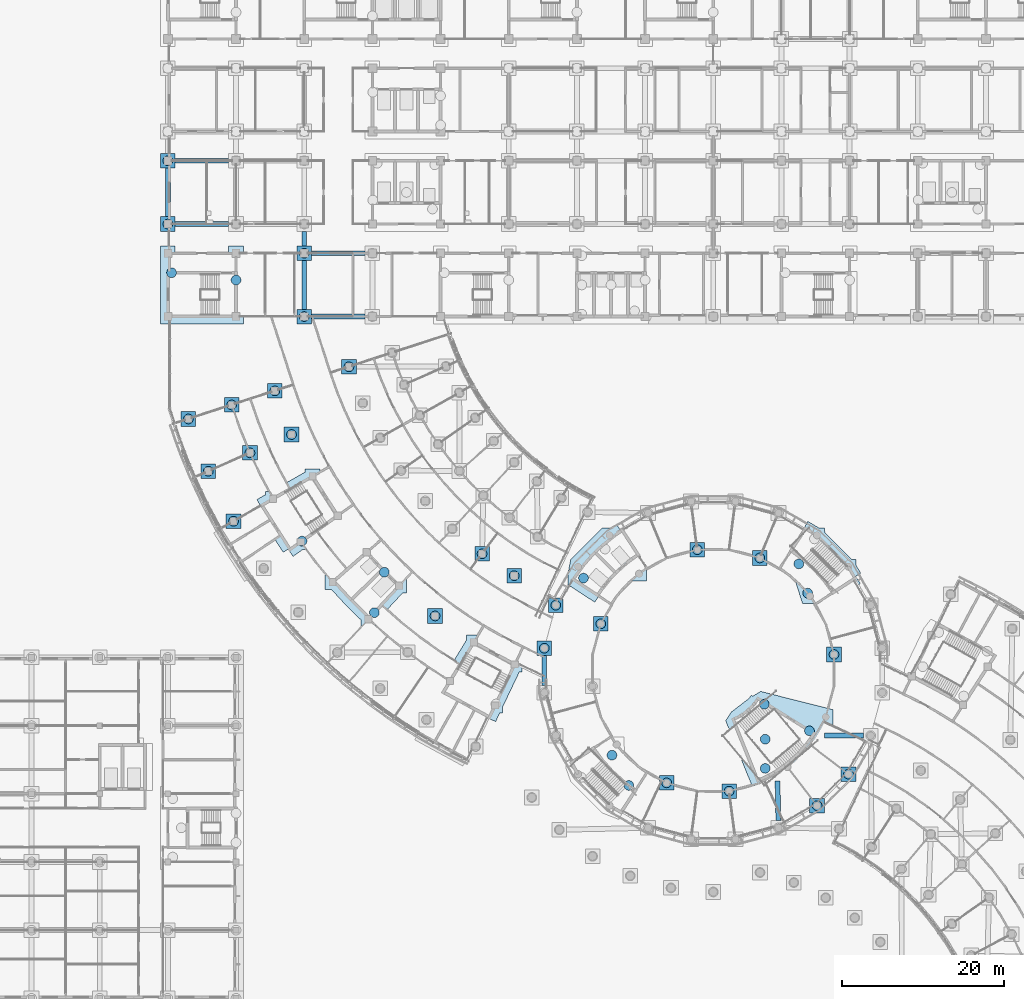
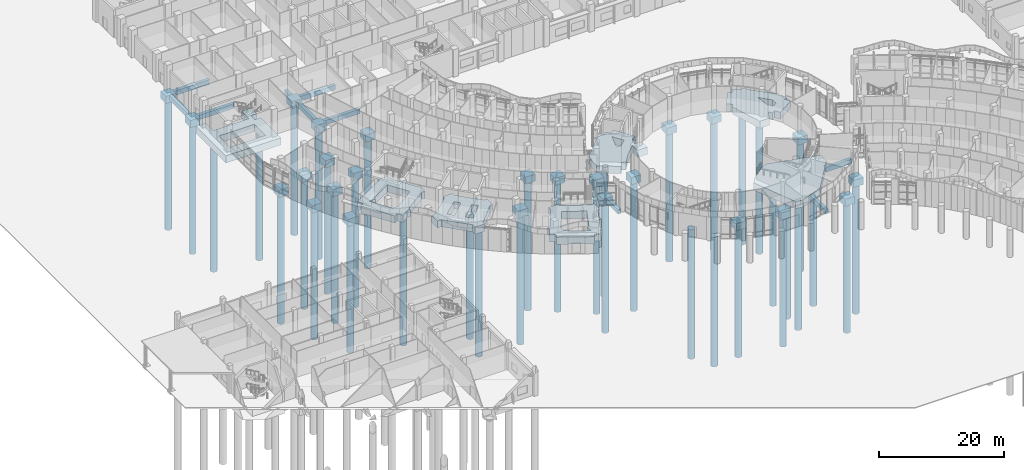
# One storey, part 3 of 146: 42 footings, 39 piles.
"""IFC4 building model written with IfcOpenShell, lengths in metres."""

from ifc_helpers import new_model, si_unit, direction, frame, origin, origin_2d, place, context, subcontext, project, spatial, polyline, rectangle, circle, outline, extrude, material, material_profile, profile_set, type_object, element, save


model = new_model("IFC4")

# Units and contexts
model_context = context("Model", 3, precision=1e-05, world=origin(), true_north=direction((0.0, 1.0)))
body_context = subcontext(model_context, "Body", "Model", "MODEL_VIEW")
ifc_project = project(units=[si_unit("LENGTHUNIT", "METRE"), si_unit("AREAUNIT", "SQUARE_METRE"), si_unit("VOLUMEUNIT", "CUBIC_METRE"), si_unit("PLANEANGLEUNIT", "RADIAN"), si_unit("MASSUNIT", "GRAM", prefix="KILO")], contexts=[model_context])

# Site, building, storey
site_placement = place(None, origin())
site = spatial("IfcSite", under=ifc_project, at=site_placement, CompositionType="ELEMENT")
building_placement = place(site_placement, origin())
building = spatial("IfcBuilding", under=site, at=building_placement, Name="Bougainvillea Quay General Hospital", CompositionType="ELEMENT")
storey_placement = place(building_placement, origin())
storey = spatial("IfcBuildingStorey", under=building, at=storey_placement, Name="L00", CompositionType="ELEMENT", Elevation=0.0)

# Piles
ifc_material_1 = material(Name="Concrete C40", Category="concrete")
ifc_material_profile_1 = material_profile(ifc_material_1, circle(Radius=0.60009765625, at=origin_2d()))
ifc_profile_set_1 = profile_set([ifc_material_profile_1], Name="Concrete C40")
pile_type = type_object("IfcPileType", Name="BORED PILE D1200 C40", PredefinedType="BORED", material=ifc_profile_set_1)
for number, where, z_axis, x_axis, name in (
    (1, (121.98388671875, 57.340087890625, -1.60009765625), (0.0, 0.0, -1.0), (1.0, 0.0, 0.0), "Bored pile 066-01"),
    (2, (111.157958984375, 59.1279296875, -1.60009765625), (0.0, 0.0, -1.0), (1.0, 0.0, 0.0), "Bored pile 072-01"),
    (3, (103.4599609375, 60.14208984375, -1.60009765625), (0.0, 0.0, -1.0), (1.0, 0.0, 0.0), "Bored pile 073-01"),
    (4, (98.802001953125, 59.829345703125, -1.60009765625), (0.0, 0.0, -1.0), (1.0, 0.0, 0.0), "Bored pile 075-01"),
    (5, (96.71923828125, 63.55419921875, -1.60009765625), (0.0, 0.0, -1.0), (1.0, 0.0, 0.0), "Bored pile 075-03"),
    (6, (125.860107421875, 61.216064453125, -1.60009765625), (0.0, 0.0, -1.0), (1.0, 0.0, 0.0), "Bored pile 076-01"),
    (7, (115.6005859375, 61.927001953125, -1.60009765625), (0.0, 0.0, -1.0), (1.0, 0.0, 0.0), "Bored pile 085-01"),
    (8, (115.6005859375, 65.527099609375, -1.60009765625), (0.0, 0.0, -1.0), (1.0, 0.0, 0.0), "Bored pile 085-02"),
    (9, (121.0546875, 66.55078125, -1.60009765625), (0.0, 0.0, -1.0), (1.0, 0.0, 0.0), "Bored pile 085-03"),
    (10, (115.48095703125, 69.82568359375, -1.60009765625), (0.0, 0.0, -1.0), (1.0, 0.0, 0.0), "Bored pile 085-04"),
    (11, (124.072021484375, 75.9580078125, -1.60009765625), (0.0, 0.0, -1.0), (1.0, 0.0, 0.0), "Bored pile 113-01"),
    (12, (88.3798828125, 76.740966796875, -1.60009765625), (0.0, 0.0, -1.0), (1.0, 0.0, 0.0), "Bored pile 116-01"),
    (13, (95.342041015625, 79.739990234375, -1.60009765625), (0.0, 0.0, -1.0), (1.0, 0.0, 0.0), "Bored pile 119-01"),
    (14, (74.9189453125, 80.7119140625, -1.60009765625), (0.0, 0.0, -1.0), (1.0, 0.0, 0.0), "Bored pile 120-01"),
    (15, (89.799072265625, 82.035888671875, -1.60009765625), (0.0, 0.0, -1.0), (1.0, 0.0, 0.0), "Bored pile 122-01"),
    (16, (67.444091796875, 81.12109375, -1.60009765625), (0.0, 0.0, -1.0), (1.0, 0.0, 0.0), "Bored pile 131-01"),
    (17, (68.6708984375, 86.105712890625, -1.60009765625), (0.0, 0.0, -1.0), (1.0, 0.0, 0.0), "Bored pile 131-02"),
    (18, (84.669921875, 85.675048828125, -1.60009765625), (0.0, 0.0, -1.0), (1.0, 0.0, 0.0), "Bored pile 132-01"),
    (19, (120.828857421875, 83.52685546875, -1.60009765625), (0.0, 0.0, -1.0), (1.0, 0.0, 0.0), "Bored pile 134-01"),
    (20, (119.743896484375, 87.126708984375, -1.60009765625), (0.0, 0.0, -1.0), (1.0, 0.0, 0.0), "Bored pile 134-02"),
    (21, (93.209228515625, 85.37744140625, -1.60009765625), (0.0, 0.0, -1.0), (1.0, 0.0, 0.0), "Bored pile 135-01"),
    (22, (114.93994140625, 87.85791015625, -1.60009765625), (0.0, 0.0, -1.0), (1.0, 0.0, 0.0), "Bored pile 136-01"),
    (23, (80.712890625, 88.365966796875, -1.60009765625), (0.0, 0.0, -1.0), (1.0, 0.0, 0.0), "Bored pile 137-01"),
    (24, (107.241943359375, 88.8720703125, -1.60009765625), (0.0, 0.0, -1.0), (1.0, 0.0, 0.0), "Bored pile 138-01"),
    (25, (50.091064453125, 92.383056640625, -1.60009765625), (0.0, 0.0, -1.0), (1.0, 0.0, 0.0), "Bored pile 141-01"),
    (26, (58.5244140625, 89.933837890625, -1.60009765625), (0.0, 0.0, -1.0), (1.0, 0.0, 0.0), "Bored pile 148-01"),
    (27, (46.989990234375, 98.5419921875, -1.60009765625), (0.0, 0.0, -1.0), (1.0, 0.0, 0.0), "Bored pile 156-01"),
    (28, (52.114013671875, 100.802978515625, -1.60009765625), (0.0, 0.0, -1.0), (1.0, 0.0, 0.0), "Bored pile 162-01"),
    (29, (57.237060546875, 103.06396484375, -1.60009765625), (0.0, 0.0, -1.0), (1.0, 0.0, 0.0), "Bored pile 166-01"),
    (30, (44.530029296875, 104.98193359375, -1.60009765625), (0.0, 0.0, -1.0), (1.0, 0.0, 0.0), "Bored pile 167-01"),
    (31, (49.85498046875, 106.712890625, -1.60009765625), (0.0, 0.0, -1.0), (1.0, 0.0, 0.0), "Bored pile 170-01"),
    (32, (55.180908203125, 108.444091796875, -1.60009765625), (0.0, 0.0, -1.0), (1.0, 0.0, 0.0), "Bored pile 173-01"),
    (33, (64.31103515625, 111.410888671875, -1.60009765625), (0.0, 0.0, -1.0), (1.0, 0.0, 0.0), "Bored pile 179-01"),
    (34, (58.800048828125, 117.60009765625, -1.60009765625), (0.0, 0.0, -1.0), (1.0, 0.0, 0.0), "Bored pile 182-01"),
    (35, (50.39990234375, 122.10009765625, -1.60009765625), (0.0, 0.0, -1.0), (1.0, 0.0, 0.0), "Bored pile 192-01"),
    (36, (42.449951171875, 123.0, -1.60009765625), (0.0, 0.0, -1.0), (1.0, 0.0, 0.0), "Bored pile 192-02"),
    (37, (58.800048828125, 125.39990234375, -1.60009765625), (0.0, 0.0, -1.0), (1.0, 0.0, 0.0), "Bored pile 197-01"),
    (38, (42.0, 129.0, -1.60009765625), (0.0, 0.0, -1.0), (1.0, 0.0, 0.0), "Bored pile 204-01"),
    (39, (42.0, 136.800048828125, -1.60009765625), (0.0, 0.0, -1.0), (1.0, 0.0, 0.0), "Bored pile 221-01"),
):
    element("IfcPile", number, at=place(storey_placement, frame(where, z_axis=z_axis, x_axis=x_axis)), inside=storey, type_object=pile_type, Name=name, PredefinedType="BORED", context=body_context, shape_type="SweptSolid", body=[
        extrude(circle(Radius=0.60009765625, at=origin_2d()), origin(), (0.0, 0.0, 1.0), 25.39990234375),
    ])

# Footings
ifc_material_2 = material(Name="Concrete C35", Category="concrete")
footing_type_1 = type_object("IfcFootingType", Name="PILE CAP 1P D1200 1800x1800x1400", PredefinedType="PILE_CAP", material=ifc_material_2)
footing_1_placement = place(storey_placement, frame((0.0, 0.0, -1.699951171875)))
element("IfcFooting", 40, at=footing_1_placement, inside=storey, type_object=footing_type_1, Name="Pile cap PC1 066", PredefinedType="PILE_CAP", context=body_context, shape_type="SweptSolid", body=[
    extrude(outline(polyline([(121.083984375, 56.43994140625), (122.884033203125, 56.43994140625), (122.884033203125, 58.239990234375), (121.083984375, 58.239990234375), (121.083984375, 56.43994140625)])), origin(), (0.0, 0.0, 1.0), 1.39990234375),
])
footing_2_placement = place(storey_placement, frame((0.0, 0.0, -1.699951171875)))
element("IfcFooting", 41, at=footing_2_placement, inside=storey, type_object=footing_type_1, Name="Pile cap PC1 072", PredefinedType="PILE_CAP", context=body_context, shape_type="SweptSolid", body=[
    extrude(outline(polyline([(110.258056640625, 58.22802734375), (112.05810546875, 58.22802734375), (112.05810546875, 60.028076171875), (110.258056640625, 60.028076171875), (110.258056640625, 58.22802734375)])), origin(), (0.0, 0.0, 1.0), 1.39990234375),
])
footing_3_placement = place(storey_placement, frame((0.0, 0.0, -1.699951171875)))
element("IfcFooting", 42, at=footing_3_placement, inside=storey, type_object=footing_type_1, Name="Pile cap PC1 073", PredefinedType="PILE_CAP", context=body_context, shape_type="SweptSolid", body=[
    extrude(outline(polyline([(102.56005859375, 59.241943359375), (104.360107421875, 59.241943359375), (104.360107421875, 61.0419921875), (102.56005859375, 61.0419921875), (102.56005859375, 59.241943359375)])), origin(), (0.0, 0.0, 1.0), 1.39990234375),
])
footing_4_placement = place(storey_placement, frame((0.0, 0.0, -1.699951171875)))
element("IfcFooting", 43, at=footing_4_placement, inside=storey, type_object=footing_type_1, Name="Pile cap PC1 076", PredefinedType="PILE_CAP", context=body_context, shape_type="SweptSolid", body=[
    extrude(outline(polyline([(124.9599609375, 60.31591796875), (126.760009765625, 60.31591796875), (126.760009765625, 62.115966796875), (124.9599609375, 62.115966796875), (124.9599609375, 60.31591796875)])), origin(), (0.0, 0.0, 1.0), 1.39990234375),
])
footing_5_placement = place(storey_placement, frame((0.0, 0.0, -1.699951171875)))
element("IfcFooting", 44, at=footing_5_placement, inside=storey, type_object=footing_type_1, Name="Pile cap PC1 113", PredefinedType="PILE_CAP", context=body_context, shape_type="SweptSolid", body=[
    extrude(outline(polyline([(123.172119140625, 75.05810546875), (124.971923828125, 75.05810546875), (124.971923828125, 76.85791015625), (123.172119140625, 76.85791015625), (123.172119140625, 75.05810546875)])), origin(), (0.0, 0.0, 1.0), 1.39990234375),
])
footing_6_placement = place(storey_placement, frame((0.0, 0.0, -1.699951171875)))
element("IfcFooting", 45, at=footing_6_placement, inside=storey, type_object=footing_type_1, Name="Pile cap PC1 116", PredefinedType="PILE_CAP", context=body_context, shape_type="SweptSolid", body=[
    extrude(outline(polyline([(87.47998046875, 75.841064453125), (89.280029296875, 75.841064453125), (89.280029296875, 77.64111328125), (87.47998046875, 77.64111328125), (87.47998046875, 75.841064453125)])), origin(), (0.0, 0.0, 1.0), 1.39990234375),
])
footing_7_placement = place(storey_placement, frame((0.0, 0.0, -1.699951171875)))
element("IfcFooting", 46, at=footing_7_placement, inside=storey, type_object=footing_type_1, Name="Pile cap PC1 119", PredefinedType="PILE_CAP", context=body_context, shape_type="SweptSolid", body=[
    extrude(outline(polyline([(94.44189453125, 78.840087890625), (96.241943359375, 78.840087890625), (96.241943359375, 80.639892578125), (94.44189453125, 80.639892578125), (94.44189453125, 78.840087890625)])), origin(), (0.0, 0.0, 1.0), 1.39990234375),
])
footing_8_placement = place(storey_placement, frame((0.0, 0.0, -1.699951171875)))
element("IfcFooting", 47, at=footing_8_placement, inside=storey, type_object=footing_type_1, Name="Pile cap PC1 120", PredefinedType="PILE_CAP", context=body_context, shape_type="SweptSolid", body=[
    extrude(outline(polyline([(74.01904296875, 79.81201171875), (75.819091796875, 79.81201171875), (75.819091796875, 81.612060546875), (74.01904296875, 81.612060546875), (74.01904296875, 79.81201171875)])), origin(), (0.0, 0.0, 1.0), 1.39990234375),
])
footing_9_placement = place(storey_placement, frame((0.0, 0.0, -1.699951171875)))
element("IfcFooting", 48, at=footing_9_placement, inside=storey, type_object=footing_type_1, Name="Pile cap PC1 122", PredefinedType="PILE_CAP", context=body_context, shape_type="SweptSolid", body=[
    extrude(outline(polyline([(88.89892578125, 81.135986328125), (90.698974609375, 81.135986328125), (90.698974609375, 82.93603515625), (88.89892578125, 82.93603515625), (88.89892578125, 81.135986328125)])), origin(), (0.0, 0.0, 1.0), 1.39990234375),
])
footing_10_placement = place(storey_placement, frame((0.0, 0.0, -1.699951171875)))
element("IfcFooting", 49, at=footing_10_placement, inside=storey, type_object=footing_type_1, Name="Pile cap PC1 132", PredefinedType="PILE_CAP", context=body_context, shape_type="SweptSolid", body=[
    extrude(outline(polyline([(83.77001953125, 84.77490234375), (85.570068359375, 84.77490234375), (85.570068359375, 86.574951171875), (83.77001953125, 86.574951171875), (83.77001953125, 84.77490234375)])), origin(), (0.0, 0.0, 1.0), 1.39990234375),
])
footing_11_placement = place(storey_placement, frame((0.0, 0.0, -1.699951171875)))
element("IfcFooting", 50, at=footing_11_placement, inside=storey, type_object=footing_type_1, Name="Pile cap PC1 136", PredefinedType="PILE_CAP", context=body_context, shape_type="SweptSolid", body=[
    extrude(outline(polyline([(114.0400390625, 86.9580078125), (115.840087890625, 86.9580078125), (115.840087890625, 88.758056640625), (114.0400390625, 88.758056640625), (114.0400390625, 86.9580078125)])), origin(), (0.0, 0.0, 1.0), 1.39990234375),
])
footing_12_placement = place(storey_placement, frame((0.0, 0.0, -1.699951171875)))
element("IfcFooting", 51, at=footing_12_placement, inside=storey, type_object=footing_type_1, Name="Pile cap PC1 137", PredefinedType="PILE_CAP", context=body_context, shape_type="SweptSolid", body=[
    extrude(outline(polyline([(79.81298828125, 87.466064453125), (81.613037109375, 87.466064453125), (81.613037109375, 89.26611328125), (79.81298828125, 89.26611328125), (79.81298828125, 87.466064453125)])), origin(), (0.0, 0.0, 1.0), 1.39990234375),
])
footing_13_placement = place(storey_placement, frame((0.0, 0.0, -1.699951171875)))
element("IfcFooting", 52, at=footing_13_placement, inside=storey, type_object=footing_type_1, Name="Pile cap PC1 138", PredefinedType="PILE_CAP", context=body_context, shape_type="SweptSolid", body=[
    extrude(outline(polyline([(106.342041015625, 87.971923828125), (108.14208984375, 87.971923828125), (108.14208984375, 89.77197265625), (106.342041015625, 89.77197265625), (106.342041015625, 87.971923828125)])), origin(), (0.0, 0.0, 1.0), 1.39990234375),
])
footing_14_placement = place(storey_placement, frame((0.0, 0.0, -1.699951171875)))
element("IfcFooting", 53, at=footing_14_placement, inside=storey, type_object=footing_type_1, Name="Pile cap PC1 141", PredefinedType="PILE_CAP", context=body_context, shape_type="SweptSolid", body=[
    extrude(outline(polyline([(49.19091796875, 91.48291015625), (50.990966796875, 91.48291015625), (50.990966796875, 93.282958984375), (49.19091796875, 93.282958984375), (49.19091796875, 91.48291015625)])), origin(), (0.0, 0.0, 1.0), 1.39990234375),
])
footing_15_placement = place(storey_placement, frame((0.0, 0.0, -1.699951171875)))
element("IfcFooting", 54, at=footing_15_placement, inside=storey, type_object=footing_type_1, Name="Pile cap PC1 156", PredefinedType="PILE_CAP", context=body_context, shape_type="SweptSolid", body=[
    extrude(outline(polyline([(46.090087890625, 97.64208984375), (47.889892578125, 97.64208984375), (47.889892578125, 99.44189453125), (46.090087890625, 99.44189453125), (46.090087890625, 97.64208984375)])), origin(), (0.0, 0.0, 1.0), 1.39990234375),
])
footing_16_placement = place(storey_placement, frame((0.0, 0.0, -1.699951171875)))
element("IfcFooting", 55, at=footing_16_placement, inside=storey, type_object=footing_type_1, Name="Pile cap PC1 162", PredefinedType="PILE_CAP", context=body_context, shape_type="SweptSolid", body=[
    extrude(outline(polyline([(51.214111328125, 99.903076171875), (53.013916015625, 99.903076171875), (53.013916015625, 101.702880859375), (51.214111328125, 101.702880859375), (51.214111328125, 99.903076171875)])), origin(), (0.0, 0.0, 1.0), 1.39990234375),
])
footing_17_placement = place(storey_placement, frame((0.0, 0.0, -1.699951171875)))
element("IfcFooting", 56, at=footing_17_placement, inside=storey, type_object=footing_type_1, Name="Pile cap PC1 166", PredefinedType="PILE_CAP", context=body_context, shape_type="SweptSolid", body=[
    extrude(outline(polyline([(56.3369140625, 102.1640625), (58.136962890625, 102.1640625), (58.136962890625, 103.964111328125), (56.3369140625, 103.964111328125), (56.3369140625, 102.1640625)])), origin(), (0.0, 0.0, 1.0), 1.39990234375),
])
footing_18_placement = place(storey_placement, frame((0.0, 0.0, -1.699951171875)))
element("IfcFooting", 57, at=footing_18_placement, inside=storey, type_object=footing_type_1, Name="Pile cap PC1 167", PredefinedType="PILE_CAP", context=body_context, shape_type="SweptSolid", body=[
    extrude(outline(polyline([(43.6298828125, 104.08203125), (45.429931640625, 104.08203125), (45.429931640625, 105.882080078125), (43.6298828125, 105.882080078125), (43.6298828125, 104.08203125)])), origin(), (0.0, 0.0, 1.0), 1.39990234375),
])
footing_19_placement = place(storey_placement, frame((0.0, 0.0, -1.699951171875)))
element("IfcFooting", 58, at=footing_19_placement, inside=storey, type_object=footing_type_1, Name="Pile cap PC1 170", PredefinedType="PILE_CAP", context=body_context, shape_type="SweptSolid", body=[
    extrude(outline(polyline([(48.955078125, 105.81298828125), (50.7548828125, 105.81298828125), (50.7548828125, 107.613037109375), (48.955078125, 107.613037109375), (48.955078125, 105.81298828125)])), origin(), (0.0, 0.0, 1.0), 1.39990234375),
])
footing_20_placement = place(storey_placement, frame((0.0, 0.0, -1.699951171875)))
element("IfcFooting", 59, at=footing_20_placement, inside=storey, type_object=footing_type_1, Name="Pile cap PC1 173", PredefinedType="PILE_CAP", context=body_context, shape_type="SweptSolid", body=[
    extrude(outline(polyline([(54.281005859375, 107.5439453125), (56.0810546875, 107.5439453125), (56.0810546875, 109.343994140625), (54.281005859375, 109.343994140625), (54.281005859375, 107.5439453125)])), origin(), (0.0, 0.0, 1.0), 1.39990234375),
])
footing_21_placement = place(storey_placement, frame((0.0, 0.0, -1.699951171875)))
element("IfcFooting", 60, at=footing_21_placement, inside=storey, type_object=footing_type_1, Name="Pile cap PC1 179", PredefinedType="PILE_CAP", context=body_context, shape_type="SweptSolid", body=[
    extrude(outline(polyline([(63.410888671875, 110.510986328125), (65.2109375, 110.510986328125), (65.2109375, 112.31103515625), (63.410888671875, 112.31103515625), (63.410888671875, 110.510986328125)])), origin(), (0.0, 0.0, 1.0), 1.39990234375),
])
footing_22_placement = place(storey_placement, frame((0.0, 0.0, -1.699951171875)))
element("IfcFooting", 61, at=footing_22_placement, inside=storey, type_object=footing_type_1, Name="Pile cap PC1 182", PredefinedType="PILE_CAP", context=body_context, shape_type="SweptSolid", body=[
    extrude(outline(polyline([(57.89990234375, 116.699951171875), (59.699951171875, 116.699951171875), (59.699951171875, 118.5), (57.89990234375, 118.5), (57.89990234375, 116.699951171875)])), origin(), (0.0, 0.0, 1.0), 1.39990234375),
])
footing_23_placement = place(storey_placement, frame((0.0, 0.0, -1.699951171875)))
element("IfcFooting", 62, at=footing_23_placement, inside=storey, type_object=footing_type_1, Name="Pile cap PC1 197", PredefinedType="PILE_CAP", context=body_context, shape_type="SweptSolid", body=[
    extrude(outline(polyline([(57.89990234375, 124.5), (59.699951171875, 124.5), (59.699951171875, 126.300048828125), (57.89990234375, 126.300048828125), (57.89990234375, 124.5)])), origin(), (0.0, 0.0, 1.0), 1.39990234375),
])
footing_24_placement = place(storey_placement, frame((0.0, 0.0, -1.699951171875)))
element("IfcFooting", 63, at=footing_24_placement, inside=storey, type_object=footing_type_1, Name="Pile cap PC1 204", PredefinedType="PILE_CAP", context=body_context, shape_type="SweptSolid", body=[
    extrude(outline(polyline([(41.10009765625, 128.10009765625), (42.89990234375, 128.10009765625), (42.89990234375, 129.89990234375), (41.10009765625, 129.89990234375), (41.10009765625, 128.10009765625)])), origin(), (0.0, 0.0, 1.0), 1.39990234375),
])
footing_25_placement = place(storey_placement, frame((0.0, 0.0, -1.699951171875)))
element("IfcFooting", 64, at=footing_25_placement, inside=storey, type_object=footing_type_1, Name="Pile cap PC1 221", PredefinedType="PILE_CAP", context=body_context, shape_type="SweptSolid", body=[
    extrude(outline(polyline([(41.10009765625, 135.89990234375), (42.89990234375, 135.89990234375), (42.89990234375, 137.699951171875), (41.10009765625, 137.699951171875), (41.10009765625, 135.89990234375)])), origin(), (0.0, 0.0, 1.0), 1.39990234375),
])
footing_type_2 = type_object("IfcFootingType", Name="PILE CAP RAFT 1P D1200 4715", PredefinedType="PILE_CAP", material=ifc_material_2)
footing_26_placement = place(storey_placement, frame((0.0, 0.0, -1.699951171875)))
element("IfcFooting", 65, at=footing_26_placement, inside=storey, type_object=footing_type_2, Name="Pile cap PC9 098", PredefinedType="PILE_CAP", context=body_context, shape_type="SweptSolid", body=[
    extrude(outline(polyline([(85.64697265625, 75.633056640625), (85.64697265625, 73.8330078125), (85.314697265625, 73.8330078125), (83.236083984375, 69.4755859375), (83.236083984375, 68.779052734375), (82.90380859375, 68.779052734375), (82.384033203125, 67.689453125), (81.405517578125, 68.15625), (81.06494140625, 67.526611328125), (75.664794921875, 70.447021484375), (76.00537109375, 71.076904296875), (75.0791015625, 71.64013671875), (75.87109375, 72.94189453125), (75.87109375, 73.589111328125), (76.2646484375, 73.589111328125), (78.781005859375, 77.725341796875), (78.781005859375, 78.373046875), (80.5810546875, 78.373046875), (80.5810546875, 78.009521484375), (84.974853515625, 75.633056640625), (85.64697265625, 75.633056640625)]), holes=[polyline([(81.76806640625, 70.5791015625), (83.56640625, 74.348388671875), (80.00537109375, 76.2744140625), (77.6708984375, 72.437255859375), (77.6708984375, 71.408447265625), (81.43603515625, 69.372314453125), (81.43603515625, 70.5791015625), (81.76806640625, 70.5791015625)])]), origin(), (0.0, 0.0, 1.0), 1.39990234375),
])
footing_type_3 = type_object("IfcFootingType", Name="PILE CAP RAFT 1P D1200 4725", PredefinedType="PILE_CAP", material=ifc_material_2)
footing_27_placement = place(storey_placement, frame((0.0, 0.0, -1.699951171875)))
element("IfcFooting", 66, at=footing_27_placement, inside=storey, type_object=footing_type_3, Name="Pile cap PC14 148", PredefinedType="PILE_CAP", context=body_context, shape_type="SweptSolid", body=[
    extrude(outline(polyline([(63.823974609375, 93.965087890625), (63.823974609375, 92.1650390625), (63.211669921875, 92.1650390625), (59.260986328125, 89.353271484375), (59.260986328125, 88.9169921875), (58.64794921875, 88.9169921875), (57.437255859375, 88.05517578125), (56.80859375, 88.9384765625), (56.205078125, 88.553466796875), (52.9033203125, 93.7294921875), (53.5068359375, 94.114501953125), (52.970947265625, 95.056884765625), (54.05908203125, 95.675537109375), (54.05908203125, 96.052001953125), (54.720947265625, 96.052001953125), (58.926025390625, 98.443603515625), (58.926025390625, 98.820068359375), (60.72607421875, 98.820068359375), (60.72607421875, 98.1826171875), (63.417236328125, 93.965087890625), (63.823974609375, 93.965087890625)]), holes=[polyline([(55.85888671875, 94.628662109375), (55.85888671875, 94.251953125), (54.705078125, 94.251953125), (56.9599609375, 90.717041015625), (58.072998046875, 90.717041015625), (61.705078125, 93.30224609375), (59.52734375, 96.71484375), (55.85888671875, 94.628662109375)])]), origin(), (0.0, 0.0, 1.0), 1.39990234375),
])
footing_type_4 = type_object("IfcFootingType", Name="PILE CAP RAFT 2P D1200 4876", PredefinedType="PILE_CAP", material=ifc_material_2)
footing_28_placement = place(storey_placement, frame((0.0, 0.0, -1.699951171875)))
element("IfcFooting", 67, at=footing_28_placement, inside=storey, type_object=footing_type_4, Name="Pile cap PC11 131", PredefinedType="PILE_CAP", context=body_context, shape_type="SweptSolid", body=[
    extrude(outline(polyline([(71.408935546875, 85.31591796875), (71.408935546875, 83.51611328125), (70.90087890625, 83.51611328125), (67.593994140625, 79.9609375), (67.593994140625, 79.416015625), (65.7939453125, 79.416015625), (65.7939453125, 80.217529296875), (63.93017578125, 82.041748046875), (62.16455078125, 83.955078125), (61.386962890625, 83.955078125), (61.386962890625, 85.7548828125), (61.94775390625, 85.7548828125), (65.596923828125, 88.955810546875), (65.596923828125, 89.447998046875), (67.39697265625, 89.447998046875), (67.39697265625, 88.899658203125), (69.095947265625, 87.05810546875), (70.876220703125, 85.31591796875), (71.408935546875, 85.31591796875)]), holes=[polyline([(65.865234375, 82.66650390625), (66.80078125, 81.7509765625), (69.25244140625, 84.386474609375), (68.447509765625, 85.174072265625), (65.865234375, 82.66650390625)]), polyline([(64.611328125, 83.957763671875), (67.193603515625, 86.465576171875), (66.4306640625, 87.292724609375), (63.724365234375, 84.9189453125), (64.611328125, 83.957763671875)])]), origin(), (0.0, 0.0, 1.0), 1.39990234375),
])
footing_type_5 = type_object("IfcFootingType", Name="PILE CAP RAFT 2P D1200 5430", PredefinedType="PILE_CAP", material=ifc_material_2)
footing_29_placement = place(storey_placement, frame((0.0, 0.0, -1.699951171875)))
element("IfcFooting", 68, at=footing_29_placement, inside=storey, type_object=footing_type_5, Name="Pile cap PC13 135", PredefinedType="PILE_CAP", context=body_context, shape_type="SweptSolid", body=[
    extrude(outline(polyline([(95.78369140625, 82.893310546875), (95.1826171875, 83.306640625), (94.599609375, 82.408935546875), (91.2861328125, 84.560546875), (91.298095703125, 85.890869140625), (91.639892578125, 87.68408203125), (95.51611328125, 91.56005859375), (96.803466796875, 91.56005859375), (97.32568359375, 91.919189453125), (97.73388671875, 91.325927734375), (98.639404296875, 91.913818359375), (100.791015625, 88.600341796875), (99.893310546875, 88.017333984375), (100.306640625, 87.416259765625), (99.410400390625, 86.800048828125), (100.968994140625, 86.800048828125), (100.968994140625, 85.0), (99.1689453125, 85.0), (99.1689453125, 86.600341796875), (97.8076171875, 85.3759765625), (97.244384765625, 84.781494140625), (96.168701171875, 83.453125), (95.78369140625, 82.893310546875)]), holes=[polyline([(98.707763671875, 88.503662109375), (97.496826171875, 90.368408203125), (96.719482421875, 87.753173828125), (97.211669921875, 87.260986328125), (97.92626953125, 87.903564453125), (98.707763671875, 88.503662109375)])]), origin(), (0.0, 0.0, 1.0), 1.39990234375),
])
footing_type_6 = type_object("IfcFootingType", Name="PILE CAP RAFT 2P D1200 5690", PredefinedType="PILE_CAP", material=ifc_material_2)
footing_30_placement = place(storey_placement, frame((0.0, 0.0, -1.699951171875)))
element("IfcFooting", 69, at=footing_30_placement, inside=storey, type_object=footing_type_6, Name="Pile cap PC18 192", PredefinedType="PILE_CAP", context=body_context, shape_type="SweptSolid", body=[
    extrude(outline(polyline([(51.300048828125, 116.699951171875), (41.10009765625, 116.699951171875), (41.10009765625, 126.300048828125), (42.89990234375, 126.300048828125), (42.89990234375, 123.89990234375), (49.5, 123.89990234375), (49.5, 126.300048828125), (51.300048828125, 126.300048828125), (51.300048828125, 124.5), (50.22509765625, 124.5), (50.22509765625, 123.175048828125), (51.300048828125, 123.175048828125), (51.300048828125, 116.699951171875)]), holes=[polyline([(49.5, 122.10009765625), (42.89990234375, 122.10009765625), (42.89990234375, 118.5), (49.5, 118.5), (49.5, 122.10009765625)])]), origin(), (0.0, 0.0, 1.0), 1.39990234375),
])
footing_type_7 = type_object("IfcFootingType", Name="PILE CAP RAFT 3P D1200 5546", PredefinedType="PILE_CAP", material=ifc_material_2)
footing_31_placement = place(storey_placement, frame((0.0, 0.0, -1.699951171875)))
element("IfcFooting", 70, at=footing_31_placement, inside=storey, type_object=footing_type_7, Name="Pile cap PC12 134", PredefinedType="PILE_CAP", context=body_context, shape_type="SweptSolid", body=[
    extrude(outline(polyline([(126.7412109375, 85.589599609375), (127.322021484375, 84.695556640625), (124.304443359375, 82.73583984375), (123.723876953125, 83.6298828125), (123.130126953125, 83.198486328125), (122.697265625, 83.7939453125), (122.0, 82.23095703125), (120.199951171875, 82.23095703125), (118.3984375, 87.93017578125), (118.829833984375, 88.523681640625), (117.935791015625, 89.1044921875), (119.704833984375, 91.828369140625), (120.3203125, 91.4287109375), (120.853515625, 92.351806640625), (122.22509765625, 91.56005859375), (122.884033203125, 91.56005859375), (122.950439453125, 90.966552734375), (126.23291015625, 87.68408203125), (126.760009765625, 87.68408203125), (126.760009765625, 87.025146484375), (127.376953125, 85.95654296875), (126.7412109375, 85.589599609375)]), holes=[polyline([(124.9599609375, 86.4111328125), (123.270751953125, 88.1005859375), (123.539306640625, 85.697021484375), (124.18701171875, 84.805908203125), (124.9599609375, 85.307861328125), (124.9599609375, 86.4111328125)])]), origin(), (0.0, 0.0, 1.0), 1.39990234375),
])
footing_type_8 = type_object("IfcFootingType", Name="PILE CAP RAFT 4P D1200 10046", PredefinedType="PILE_CAP", material=ifc_material_2)
footing_32_placement = place(storey_placement, frame((0.0, 0.0, -1.699951171875)))
element("IfcFooting", 71, at=footing_32_placement, inside=storey, type_object=footing_type_8, Name="Pile cap PC8 085", PredefinedType="PILE_CAP", context=body_context, shape_type="SweptSolid", body=[
    extrude(outline(polyline([(113.8740234375, 70.92822265625), (114.038330078125, 70.813232421875), (115.04052734375, 71.411865234375), (123.9580078125, 69.159912109375), (123.9580078125, 67.360107421875), (119.23095703125, 61.199951171875), (115.226806640625, 59.67529296875), (113.919189453125, 59.91748046875), (110.73486328125, 67.798095703125), (111.412841796875, 68.862548828125), (113.6171875, 70.560546875), (113.8740234375, 70.92822265625)])), origin(), (0.0, 0.0, 1.0), 1.39990234375),
])
ifc_material_profile_2 = material_profile(ifc_material_2, rectangle(XDim=0.60009765625, YDim=0.89990234375, at=origin_2d()))
ifc_profile_set_2 = profile_set([ifc_material_profile_2], Name="Concrete C35")
footing_type_9 = type_object("IfcFootingType", Name="RC GROUND BEAM 600x900 C35", PredefinedType="FOOTING_BEAM", material=ifc_profile_set_2)
footing_33_placement = place(storey_placement, frame((0.0, 0.0, -1.199951171875)))
element("IfcFooting", 72, at=footing_33_placement, inside=storey, type_object=footing_type_9, Name="Ground beam 067", PredefinedType="FOOTING_BEAM", context=body_context, shape_type="SweptSolid", body=[
    extrude(outline(polyline([(116.917724609375, 55.492919921875), (116.818115234375, 60.389404296875), (117.418212890625, 60.401611328125), (117.517578125, 55.505126953125), (116.917724609375, 55.492919921875)])), origin(), (0.0, 0.0, 1.0), 0.89990234375),
])
footing_34_placement = place(storey_placement, frame((0.0, 0.0, -1.199951171875)))
element("IfcFooting", 73, at=footing_34_placement, inside=storey, type_object=footing_type_9, Name="Ground beam 088", PredefinedType="FOOTING_BEAM", context=body_context, shape_type="SweptSolid", body=[
    extrude(outline(polyline([(122.907470703125, 66.289306640625), (127.702392578125, 66.26806640625), (127.69970703125, 65.66796875), (122.90478515625, 65.689208984375), (122.907470703125, 66.289306640625)])), origin(), (0.0, 0.0, 1.0), 0.89990234375),
])
footing_35_placement = place(storey_placement, frame((0.0, 0.0, -1.199951171875)))
element("IfcFooting", 74, at=footing_35_placement, inside=storey, type_object=footing_type_9, Name="Ground beam 102", PredefinedType="FOOTING_BEAM", context=body_context, shape_type="SweptSolid", body=[
    extrude(outline(polyline([(88.080078125, 72.158935546875), (88.080078125, 75.841064453125), (88.679931640625, 75.841064453125), (88.679931640625, 72.158935546875), (88.080078125, 72.158935546875)])), origin(), (0.0, 0.0, 1.0), 0.89990234375),
])
footing_36_placement = place(storey_placement, frame((0.0, 0.0, -1.199951171875)))
element("IfcFooting", 75, at=footing_36_placement, inside=storey, type_object=footing_type_9, Name="Ground beam 178", PredefinedType="FOOTING_BEAM", context=body_context, shape_type="SweptSolid", body=[
    extrude(outline(polyline([(59.699951171875, 117.89990234375), (66.300048828125, 117.89990234375), (66.300048828125, 117.300048828125), (59.699951171875, 117.300048828125), (59.699951171875, 117.89990234375)])), origin(), (0.0, 0.0, 1.0), 0.89990234375),
])
footing_37_placement = place(storey_placement, frame((0.0, 0.0, -1.199951171875)))
element("IfcFooting", 76, at=footing_37_placement, inside=storey, type_object=footing_type_9, Name="Ground beam 179", PredefinedType="FOOTING_BEAM", context=body_context, shape_type="SweptSolid", body=[
    extrude(outline(polyline([(58.5, 118.5), (58.5, 124.5), (59.10009765625, 124.5), (59.10009765625, 118.5), (58.5, 118.5)])), origin(), (0.0, 0.0, 1.0), 0.89990234375),
])
footing_38_placement = place(storey_placement, frame((0.0, 0.0, -1.199951171875)))
element("IfcFooting", 77, at=footing_38_placement, inside=storey, type_object=footing_type_9, Name="Ground beam 200", PredefinedType="FOOTING_BEAM", context=body_context, shape_type="SweptSolid", body=[
    extrude(outline(polyline([(59.699951171875, 125.699951171875), (66.300048828125, 125.699951171875), (66.300048828125, 125.10009765625), (59.699951171875, 125.10009765625), (59.699951171875, 125.699951171875)])), origin(), (0.0, 0.0, 1.0), 0.89990234375),
])
footing_39_placement = place(storey_placement, frame((0.0, 0.0, -1.199951171875)))
element("IfcFooting", 78, at=footing_39_placement, inside=storey, type_object=footing_type_9, Name="Ground beam 201", PredefinedType="FOOTING_BEAM", context=body_context, shape_type="SweptSolid", body=[
    extrude(outline(polyline([(58.5, 126.300048828125), (58.5, 128.10009765625), (59.10009765625, 128.10009765625), (59.10009765625, 126.300048828125), (58.5, 126.300048828125)])), origin(), (0.0, 0.0, 1.0), 0.89990234375),
])
footing_40_placement = place(storey_placement, frame((0.0, 0.0, -1.199951171875)))
element("IfcFooting", 79, at=footing_40_placement, inside=storey, type_object=footing_type_9, Name="Ground beam 212", PredefinedType="FOOTING_BEAM", context=body_context, shape_type="SweptSolid", body=[
    extrude(outline(polyline([(42.89990234375, 129.300048828125), (49.5, 129.300048828125), (49.5, 128.699951171875), (42.89990234375, 128.699951171875), (42.89990234375, 129.300048828125)])), origin(), (0.0, 0.0, 1.0), 0.89990234375),
])
footing_41_placement = place(storey_placement, frame((0.0, 0.0, -1.199951171875)))
element("IfcFooting", 80, at=footing_41_placement, inside=storey, type_object=footing_type_9, Name="Ground beam 213", PredefinedType="FOOTING_BEAM", context=body_context, shape_type="SweptSolid", body=[
    extrude(outline(polyline([(41.699951171875, 129.89990234375), (41.699951171875, 135.89990234375), (42.300048828125, 135.89990234375), (42.300048828125, 129.89990234375), (41.699951171875, 129.89990234375)])), origin(), (0.0, 0.0, 1.0), 0.89990234375),
])
footing_42_placement = place(storey_placement, frame((0.0, 0.0, -1.199951171875)))
element("IfcFooting", 81, at=footing_42_placement, inside=storey, type_object=footing_type_9, Name="Ground beam 243", PredefinedType="FOOTING_BEAM", context=body_context, shape_type="SweptSolid", body=[
    extrude(outline(polyline([(42.89990234375, 137.10009765625), (49.5, 137.10009765625), (49.5, 136.5), (42.89990234375, 136.5), (42.89990234375, 137.10009765625)])), origin(), (0.0, 0.0, 1.0), 0.89990234375),
])

save(model, "model.ifc")
